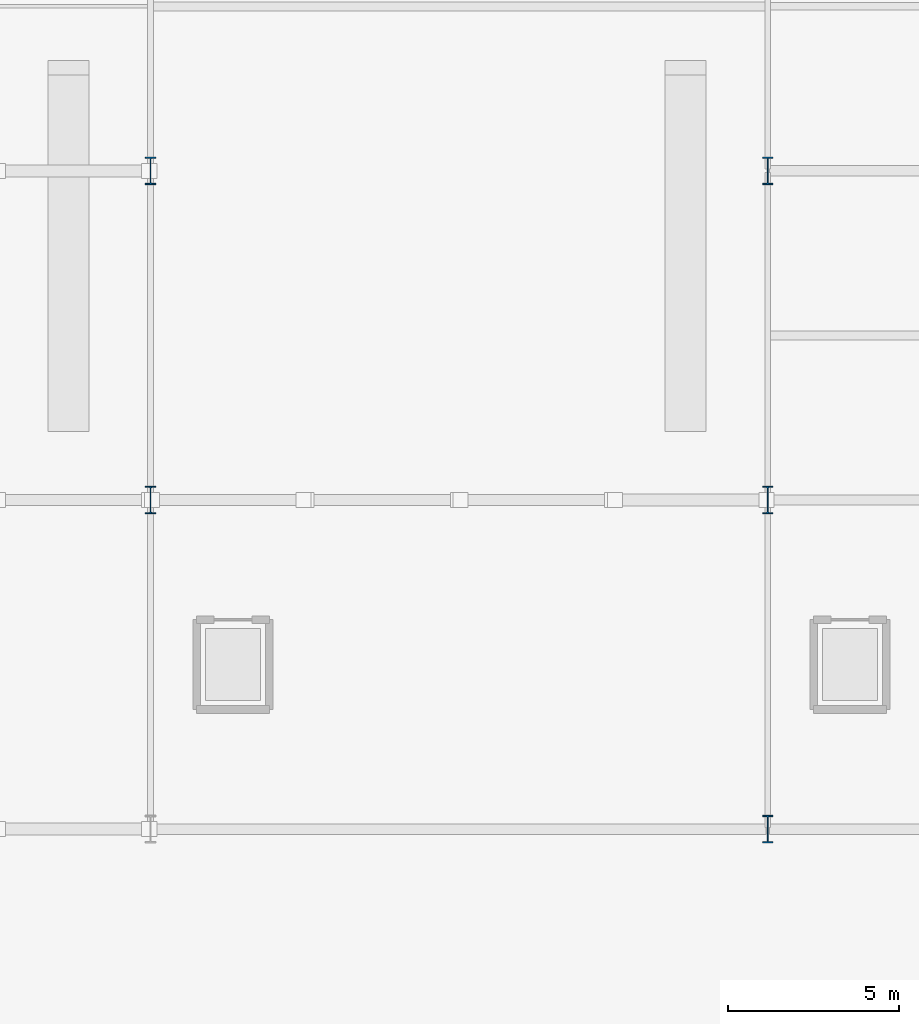
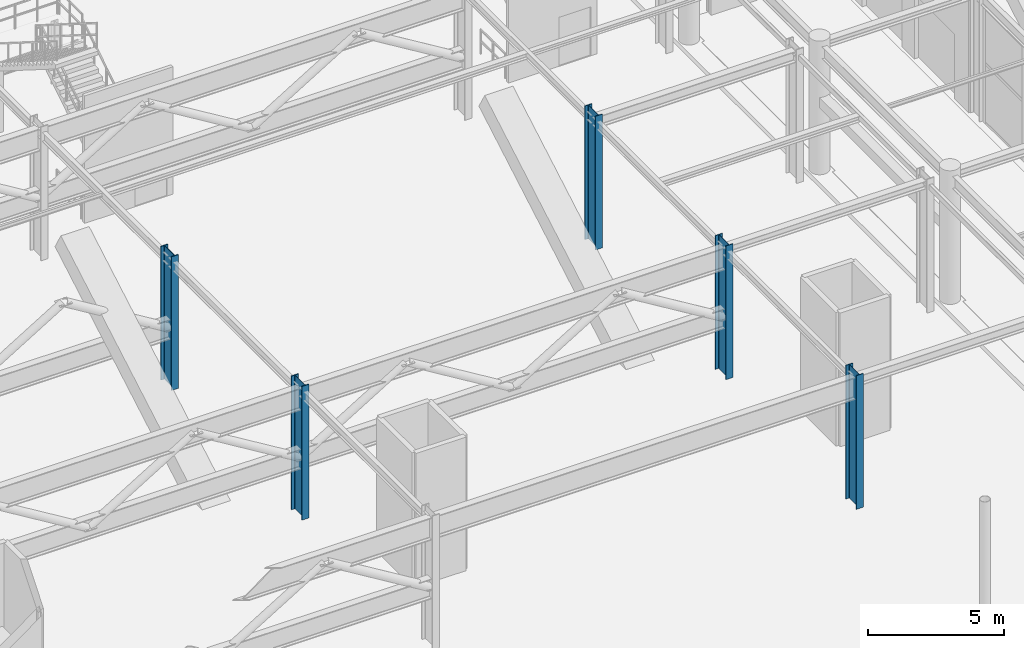
# One storey, part 5 of 113: 5 columns.
"""IFC4 building model written with IfcOpenShell, lengths in metres."""

import ifcopenshell
import ifcopenshell.guid

model = None  # the IFC model being written
_history = None  # IfcOwnerHistory: only IFC2X3 demands one
_inside = {}  # id of a spatial element -> (the spatial element, [elements in it])
_under = {}  # id of a project, library or spatial element -> (it, [spatial elements below it])
_declared = {}  # id of a project -> (the project, [libraries it declares])
_typed = {}  # id of a type object -> (the type object, [elements of that type])
_made_of = {}  # id of a material, layer set ... -> (it, [elements and type objects made of it])


def new_model(schema):
    """Start an empty IFC model of exactly this schema.

    Asked for "IFC4X3", IfcOpenShell would pick the latest addendum, in which some entities
    have other attributes; the version numbers below select the first issue.
    IFC2X3 requires an IfcOwnerHistory on every rooted entity: one is made here for all.
    """
    global model, _history
    if schema == "IFC4X3":
        model = ifcopenshell.file(schema_version=(4, 3, 0, 0))
    else:
        model = ifcopenshell.file(schema=schema)
    _inside.clear()
    _under.clear()
    _declared.clear()
    _typed.clear()
    _made_of.clear()
    _history = None
    if model.schema == "IFC2X3":
        org = make("IfcOrganization", Name="unknown")
        user = make(
            "IfcPersonAndOrganization",
            ThePerson=make("IfcPerson", FamilyName="unknown"),
            TheOrganization=org,
        )
        app = make(
            "IfcApplication",
            ApplicationDeveloper=org,
            Version="unknown",
            ApplicationFullName="unknown",
            ApplicationIdentifier="unknown",
        )
        _history = make(
            "IfcOwnerHistory",
            OwningUser=user,
            OwningApplication=app,
            ChangeAction="ADDED",
            CreationDate=0,
        )
    return model


def make(cls, **values):
    """One entity of the class cls with the attributes given. An attribute that is None is left unset."""
    return model.create_entity(
        cls, **{name: value for name, value in values.items() if value is not None}
    )


def rooted(cls, **values):
    """An entity with a GlobalId (a new one), such as an element, a storey or a relation."""
    return make(cls, GlobalId=ifcopenshell.guid.new(), OwnerHistory=_history, **values)


def si_unit(unit_type, name, prefix=None):
    """IfcSIUnit, for example si_unit("LENGTHUNIT", "METRE", prefix="MILLI")."""
    return make("IfcSIUnit", UnitType=unit_type, Prefix=prefix, Name=name)


def assignment(units):
    """IfcUnitAssignment: the units of a project."""
    return None if units is None else make("IfcUnitAssignment", Units=units)


def point(xyz):
    """IfcCartesianPoint."""
    return None if xyz is None else make("IfcCartesianPoint", Coordinates=xyz)


def direction(xyz):
    """IfcDirection."""
    return None if xyz is None else make("IfcDirection", DirectionRatios=xyz)


def frame(location, z_axis=None, x_axis=None):
    """IfcAxis2Placement3D, a coordinate frame: its origin and axes. An axis left out is left unset."""
    return make(
        "IfcAxis2Placement3D",
        Location=point(location),
        Axis=direction(z_axis),
        RefDirection=direction(x_axis),
    )


def frame_2d(location, x_axis=None):
    """IfcAxis2Placement2D, a coordinate frame in the plane: its origin and x axis."""
    return make(
        "IfcAxis2Placement2D", Location=point(location), RefDirection=direction(x_axis)
    )


def origin():
    """The frame at (0, 0, 0) with its axes left unset."""
    return frame((0.0, 0.0, 0.0))


def origin_2d():
    """The frame at (0, 0) in the plane with its x axis left unset."""
    return frame_2d((0.0, 0.0))


def place(relative_to, where):
    """IfcLocalPlacement: puts the frame where relative to a parent placement (None: the world)."""
    return make(
        "IfcLocalPlacement", PlacementRelTo=relative_to, RelativePlacement=where
    )


def context(
    kind, dimensions, precision=None, world=None, true_north=None, identifier=None
):
    """IfcGeometricRepresentationContext, for example the 3D "Model" context."""
    return make(
        "IfcGeometricRepresentationContext",
        ContextIdentifier=identifier,
        ContextType=kind,
        CoordinateSpaceDimension=dimensions,
        Precision=precision,
        WorldCoordinateSystem=world,
        TrueNorth=true_north,
    )


def subcontext(parent, identifier, kind, view, scale=None):
    """IfcGeometricRepresentationSubContext, for example "Body" below "Model"."""
    return make(
        "IfcGeometricRepresentationSubContext",
        ContextIdentifier=identifier,
        ContextType=kind,
        ParentContext=parent,
        TargetScale=scale,
        TargetView=view,
    )


def project(units=None, contexts=None):
    """IfcProject with its units and contexts."""
    return rooted(
        "IfcProject",
        Name="project",
        RepresentationContexts=contexts,
        UnitsInContext=assignment(units),
    )


def spatial(cls, under=None, at=None, **own):
    """A site, building, storey or space (cls), placed at a placement, below another one or the project."""
    s = rooted(cls, ObjectPlacement=at, **own)
    if under is not None:
        _under.setdefault(under.id(), (under, []))[1].append(s)
    return s


def profile(cls, at=None, kind="AREA", **sizes):
    """A parametric profile (cls). Its sizes go by their IFC names, for example OverallWidth=200.0."""
    return make(cls, ProfileType=kind, Position=at, **sizes)


def i_section(**sizes):
    """IfcIShapeProfileDef."""
    return profile("IfcIShapeProfileDef", **sizes)


def extrude(swept, where, along, depth):
    """IfcExtrudedAreaSolid: the profile swept, set in the frame where, extruded along a direction by depth."""
    return make(
        "IfcExtrudedAreaSolid",
        SweptArea=swept,
        Position=where,
        ExtrudedDirection=direction(along),
        Depth=depth,
    )


def shape(context_of_items, identifier, shape_type, items):
    """IfcShapeRepresentation: the items that make up one representation, for example the "Body"."""
    return make(
        "IfcShapeRepresentation",
        ContextOfItems=context_of_items,
        RepresentationIdentifier=identifier,
        RepresentationType=shape_type,
        Items=items,
    )


def material(Name=None, Category=None):
    """IfcMaterial."""
    return make("IfcMaterial", Name=Name, Category=Category)


def material_profile(
    of_material, cross_section, Name=None, Category=None, Priority=None
):
    """IfcMaterialProfile: a cross section and its material."""
    return make(
        "IfcMaterialProfile",
        Name=Name,
        Material=of_material,
        Profile=cross_section,
        Priority=Priority,
        Category=Category,
    )


def profile_set(profiles, Name=None, composite=None):
    """IfcMaterialProfileSet."""
    return make(
        "IfcMaterialProfileSet",
        Name=Name,
        MaterialProfiles=profiles,
        CompositeProfile=composite,
    )


def made_of(thing, what):
    """Note that an element or type object is made of a material, layer set ...; save() writes the relation."""
    if what is not None:
        _made_of.setdefault(what.id(), (what, []))[1].append(thing)
    return thing


def type_object(cls, material=None, **own):
    """A type object (cls), such as IfcWallType, which elements share."""
    return made_of(rooted(cls, **own), material)


def element(
    cls,
    number,
    at=None,
    inside=None,
    cuts=None,
    type_object=None,
    material=None,
    context=None,
    identifier="Body",
    shape_type=None,
    held_by="IfcProductDefinitionShape",
    body=None,
    shapes=None,
    **own,
):
    """One element of the class cls, such as IfcWall. Its Tag is "e" and its number.

    at: its placement. inside: the storey or other place that contains it. cuts: it is an
    opening in that element (IfcRelVoidsElement). A single representation is given by context,
    identifier, shape_type and body (its items); several are given by shapes. held_by: the class
    of the entity that holds the representations. save() writes the other relations.
    """
    e = rooted(cls, Tag="e%d" % number, ObjectPlacement=at, **own)
    if body is not None:
        shapes = [shape(context, identifier, shape_type, body)]
    if shapes is not None:
        e.Representation = make(held_by, Representations=shapes)
    if inside is not None:
        _inside.setdefault(inside.id(), (inside, []))[1].append(e)
    if cuts is not None:
        rooted(
            "IfcRelVoidsElement", RelatingBuildingElement=cuts, RelatedOpeningElement=e
        )
    if type_object is not None:
        _typed.setdefault(type_object.id(), (type_object, []))[1].append(e)
    return made_of(e, material)


def aggregate(whole, parts):
    """IfcRelAggregates: a whole, such as a stair, and the parts it consists of."""
    return rooted("IfcRelAggregates", RelatingObject=whole, RelatedObjects=parts)


def save(model, path):
    """Write the relations noted so far, then the file.

    IfcRelAggregates (storeys below a building ...), IfcRelContainedInSpatialStructure (elements
    in a storey), IfcRelDefinesByType, IfcRelAssociatesMaterial and IfcRelDeclares: one each for
    every whole, place, type object, material and project.
    """
    for whole, parts in _under.values():
        aggregate(whole, parts)
    for where, things in _inside.values():
        rooted(
            "IfcRelContainedInSpatialStructure",
            RelatedElements=things,
            RelatingStructure=where,
        )
    for kind, things in _typed.values():
        rooted("IfcRelDefinesByType", RelatedObjects=things, RelatingType=kind)
    for what, things in _made_of.values():
        rooted("IfcRelAssociatesMaterial", RelatedObjects=things, RelatingMaterial=what)
    for by, libraries in _declared.values():
        rooted("IfcRelDeclares", RelatingContext=by, RelatedDefinitions=libraries)
    model.write(path)


model = new_model("IFC4")

# Units and contexts
model_context = context("Model", 3, precision=1e-05, world=origin(), true_north=direction((0.0, 1.0)))
body_context = subcontext(model_context, "Body", "Model", "MODEL_VIEW")
ifc_project = project(units=[si_unit("LENGTHUNIT", "METRE"), si_unit("AREAUNIT", "SQUARE_METRE"), si_unit("VOLUMEUNIT", "CUBIC_METRE"), si_unit("PLANEANGLEUNIT", "RADIAN"), si_unit("MASSUNIT", "GRAM", prefix="KILO")], contexts=[model_context])

# Site, building, storey
site_placement = place(None, origin())
site = spatial("IfcSite", under=ifc_project, at=site_placement, CompositionType="ELEMENT")
building_placement = place(site_placement, origin())
building = spatial("IfcBuilding", under=site, at=building_placement, Name="Myrtia Square Station", CompositionType="ELEMENT")
storey_placement = place(building_placement, origin())
storey = spatial("IfcBuildingStorey", under=building, at=storey_placement, Name="L00", CompositionType="ELEMENT", Elevation=0.0)

# Columns
ifc_material = material(Name="Steel S355", Category="steel")
ifc_material_profile = material_profile(ifc_material, i_section(OverallWidth=0.300048828125, OverallDepth=0.800048828125, WebThickness=0.017578125, FlangeThickness=0.032958984375, FilletRadius=0.030029296875, at=origin_2d()), Name="HEB 800")
ifc_profile_set = profile_set([ifc_material_profile], Name="Steel S355")
column_type = type_object("IfcColumnType", Name="COL-HEB800", PredefinedType="COLUMN", material=ifc_profile_set)
for number, where, z_axis, x_axis, name in (
    (1, (45.0, 48.0, 0.0), (0.0, 0.0, 1.0), (1.0, 0.0, 0.0), "Column L00-0131"),
    (2, (45.0, 57.60009765625, 0.0), (0.0, 0.0, 1.0), (1.0, 0.0, 0.0), "Column L00-0134"),
    (3, (63.0, 38.39990234375, 0.0), (0.0, 0.0, 1.0), (1.0, 0.0, 0.0), "Column L00-0170"),
    (4, (63.0, 48.0, 0.0), (0.0, 0.0, 1.0), (1.0, 0.0, 0.0), "Column L00-0173"),
    (5, (63.0, 57.60009765625, 0.0), (0.0, 0.0, 1.0), (1.0, 0.0, 0.0), "Column L00-0176"),
):
    element("IfcColumn", number, at=place(storey_placement, frame(where, z_axis=z_axis, x_axis=x_axis)), inside=storey, type_object=column_type, Name=name, PredefinedType="COLUMN", context=body_context, shape_type="SweptSolid", body=[
        extrude(i_section(OverallWidth=0.300048828125, OverallDepth=0.800048828125, WebThickness=0.017578125, FlangeThickness=0.032958984375, FilletRadius=0.030029296875, at=origin_2d()), origin(), (0.0, 0.0, 1.0), 6.0),
    ])

save(model, "model.ifc")
